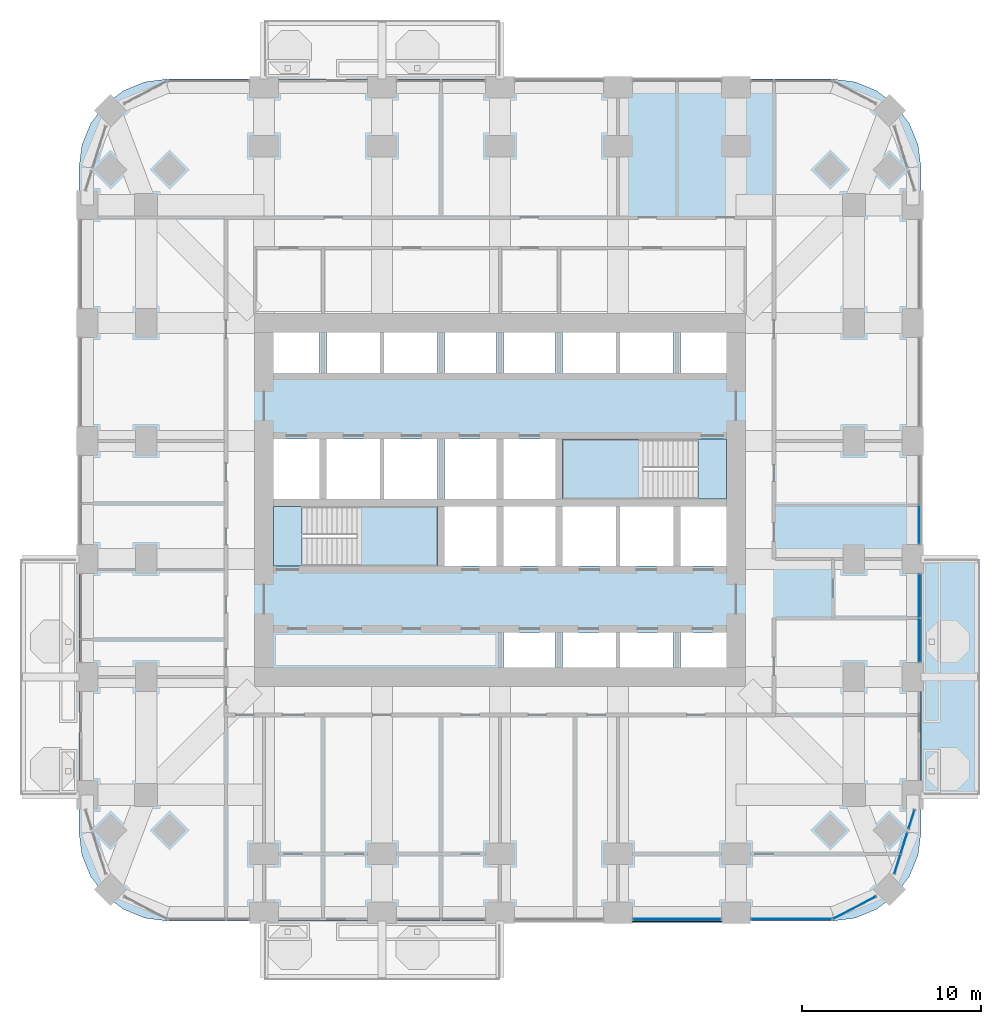
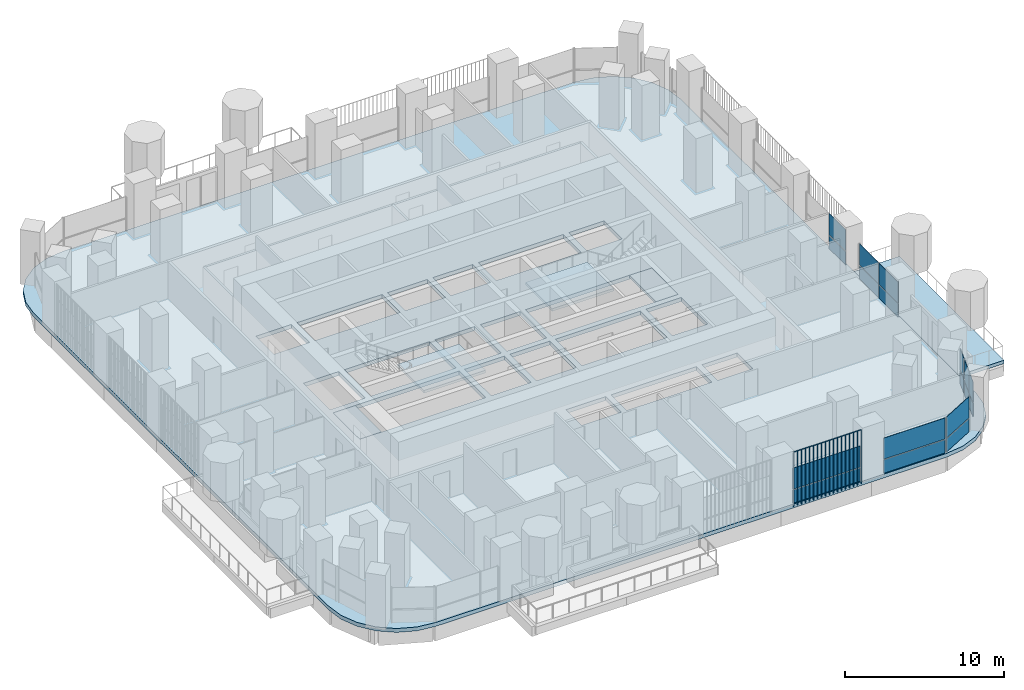
# One storey, part 9 of 21: 19 plates, 6 slabs, 9 elements without a shape of their own.
"""IFC4 building model written with IfcOpenShell, lengths in metres."""

from ifc_helpers import new_model, si_unit, direction, frame, origin, origin_2d, place, context, subcontext, project, spatial, polyline, rectangle, outline, extrude, material, layer, layer_set, type_object, element, aggregate, save


model = new_model("IFC4")

# Units and contexts
model_context = context("Model", 3, precision=1e-05, world=origin(), true_north=direction((0.0, 1.0)))
body_context = subcontext(model_context, "Body", "Model", "MODEL_VIEW")
ifc_project = project(units=[si_unit("LENGTHUNIT", "METRE"), si_unit("AREAUNIT", "SQUARE_METRE"), si_unit("VOLUMEUNIT", "CUBIC_METRE"), si_unit("PLANEANGLEUNIT", "RADIAN"), si_unit("MASSUNIT", "GRAM", prefix="KILO")], contexts=[model_context])

# Site, building, storey
site_placement = place(None, origin())
site = spatial("IfcSite", under=ifc_project, at=site_placement, CompositionType="ELEMENT")
building_placement = place(site_placement, origin())
building = spatial("IfcBuilding", under=site, at=building_placement, Name="Cobogo Forest Laboratory Tower", CompositionType="ELEMENT")
storey_placement = place(building_placement, frame((0.0, 0.0, 99.0)))
storey = spatial("IfcBuildingStorey", under=building, at=storey_placement, Name="L22", CompositionType="ELEMENT", Elevation=99.0)

# Slabs
ifc_material_1 = material(Name="Concrete HA-40 (C40/50)", Category="concrete")
ifc_layer_1 = layer(ifc_material_1, 0.25)
ifc_layer_set_1 = layer_set([ifc_layer_1], Name="Balcony slab 250")
slab_type_1 = type_object("IfcSlabType", Name="Balcony slab 250", PredefinedType="FLOOR", material=ifc_layer_set_1)
slab_1_placement = place(storey_placement, frame((0.0, 0.0, -0.25)))
element("IfcSlab", 1, at=slab_1_placement, inside=storey, type_object=slab_type_1, Name="Balcony BAL-E1 L22", PredefinedType="FLOOR", context=body_context, shape_type="SweptSolid", body=[
    extrude(outline(polyline([(49.949951171875, 6.60009765625), (53.25, 6.60009765625), (53.25, 19.800048828125), (49.949951171875, 19.800048828125), (49.949951171875, 6.60009765625)])), origin(), (0.0, 0.0, 1.0), 0.25),
])
ifc_layer_2 = layer(ifc_material_1, 0.300048828125)
ifc_layer_set_2 = layer_set([ifc_layer_2], Name="Floor slab 300")
slab_type_2 = type_object("IfcSlabType", Name="Floor slab 300", PredefinedType="FLOOR", material=ifc_layer_set_2)
slab_2_placement = place(storey_placement, frame((0.0, 0.0, -0.300048828125)))
element("IfcSlab", 2, at=slab_2_placement, inside=storey, type_object=slab_type_2, Name="L22 floor slab", PredefinedType="FLOOR", context=body_context, shape_type="SweptSolid", body=[
    extrude(outline(polyline([(45.0, -0.449951171875), (46.28125, -0.28125), (47.47509765625, 0.213134765625), (48.500244140625, 0.999755859375), (49.286865234375, 2.02490234375), (49.78125, 3.21875), (49.949951171875, 4.5), (49.949951171875, 41.699951171875), (49.78125, 42.981201171875), (49.286865234375, 44.175048828125), (48.500244140625, 45.2001953125), (47.47509765625, 45.98681640625), (46.28125, 46.4814453125), (45.0, 46.64990234375), (7.800048828125, 46.64990234375), (6.518798828125, 46.4814453125), (5.324951171875, 45.98681640625), (4.2998046875, 45.2001953125), (3.51318359375, 44.175048828125), (3.0185546875, 42.981201171875), (2.85009765625, 41.699951171875), (2.85009765625, 4.5), (3.0185546875, 3.21875), (3.51318359375, 2.02490234375), (4.2998046875, 0.999755859375), (5.324951171875, 0.213134765625), (6.518798828125, -0.28125), (7.800048828125, -0.449951171875), (45.0, -0.449951171875)]), holes=[polyline([(29.5, 13.72509765625), (26.60009765625, 13.72509765625), (26.60009765625, 15.699951171875), (29.5, 15.699951171875), (29.5, 13.72509765625)]), polyline([(36.10009765625, 15.699951171875), (36.10009765625, 13.72509765625), (29.89990234375, 13.72509765625), (29.89990234375, 15.699951171875), (36.10009765625, 15.699951171875)]), polyline([(36.5, 13.72509765625), (36.5, 15.699951171875), (39.074951171875, 15.699951171875), (39.074951171875, 13.72509765625), (36.5, 13.72509765625)]), polyline([(13.72509765625, 19.39990234375), (13.72509765625, 22.75), (22.89990234375, 22.75), (22.89990234375, 19.39990234375), (13.72509765625, 19.39990234375)]), polyline([(23.300048828125, 19.39990234375), (23.300048828125, 22.75), (26.199951171875, 22.75), (26.199951171875, 19.39990234375), (23.300048828125, 19.39990234375)]), polyline([(29.5, 19.39990234375), (26.60009765625, 19.39990234375), (26.60009765625, 22.75), (29.5, 22.75), (29.5, 19.39990234375)]), polyline([(36.10009765625, 22.75), (36.10009765625, 19.39990234375), (29.89990234375, 19.39990234375), (29.89990234375, 22.75), (36.10009765625, 22.75)]), polyline([(39.074951171875, 19.39990234375), (36.5, 19.39990234375), (36.5, 22.75), (39.074951171875, 22.75), (39.074951171875, 19.39990234375)]), polyline([(16.300048828125, 23.14990234375), (13.72509765625, 23.14990234375), (13.72509765625, 26.5), (16.300048828125, 26.5), (16.300048828125, 23.14990234375)]), polyline([(22.89990234375, 26.5), (22.89990234375, 23.14990234375), (16.699951171875, 23.14990234375), (16.699951171875, 26.5), (22.89990234375, 26.5)]), polyline([(26.199951171875, 23.14990234375), (23.300048828125, 23.14990234375), (23.300048828125, 26.5), (26.199951171875, 26.5), (26.199951171875, 23.14990234375)]), polyline([(26.60009765625, 23.14990234375), (26.60009765625, 26.5), (29.5, 26.5), (29.5, 23.14990234375), (26.60009765625, 23.14990234375)]), polyline([(29.89990234375, 23.14990234375), (29.89990234375, 26.5), (39.074951171875, 26.5), (39.074951171875, 23.14990234375), (29.89990234375, 23.14990234375)]), polyline([(13.72509765625, 30.199951171875), (13.72509765625, 32.47509765625), (16.300048828125, 32.47509765625), (16.300048828125, 30.199951171875), (13.72509765625, 30.199951171875)]), polyline([(22.89990234375, 32.47509765625), (22.89990234375, 30.199951171875), (16.699951171875, 30.199951171875), (16.699951171875, 32.47509765625), (22.89990234375, 32.47509765625)]), polyline([(23.300048828125, 30.199951171875), (23.300048828125, 32.47509765625), (26.199951171875, 32.47509765625), (26.199951171875, 30.199951171875), (23.300048828125, 30.199951171875)]), polyline([(26.60009765625, 30.199951171875), (26.60009765625, 32.47509765625), (29.5, 32.47509765625), (29.5, 30.199951171875), (26.60009765625, 30.199951171875)]), polyline([(36.10009765625, 32.47509765625), (36.10009765625, 30.199951171875), (29.89990234375, 30.199951171875), (29.89990234375, 32.47509765625), (36.10009765625, 32.47509765625)]), polyline([(36.5, 30.199951171875), (36.5, 32.47509765625), (39.074951171875, 32.47509765625), (39.074951171875, 30.199951171875), (36.5, 30.199951171875)])]), origin(), (0.0, 0.0, 1.0), 0.300048828125),
])

# Curtain wall, plates
ifc_material_2 = material(Name="Aluminium curtain wall", Category="aluminium")
curtain_wall_type = type_object("IfcCurtainWallType", Name="CW-1 unitised curtain wall, clear glazing, laboratory floors zones A and B", PredefinedType="USERDEFINED", material=ifc_material_2)
curtain_wall_1_placement = place(storey_placement, origin())
curtain_wall_1 = element("IfcCurtainWall", 3, at=curtain_wall_1_placement, inside=storey, type_object=curtain_wall_type, Name="Curtain wall 05 L22", ObjectType="UNITISED CURTAIN WALL", PredefinedType="USERDEFINED")
ifc_material_3 = material(Name="Clear insulated glass", Category="glass")
ifc_layer_3 = layer(ifc_material_3, 0.028076171875)
ifc_layer_set_3 = layer_set([ifc_layer_3], Name="GP-1 clear insulated glass unit 28")
plate_type_1 = type_object("IfcPlateType", Name="GP-1 clear insulated glass unit 28", PredefinedType="CURTAIN_PANEL", material=ifc_layer_set_3)
plate_1_placement = place(storey_placement, frame((36.300048828125, -0.35009765625, 0.0), z_axis=(0.0, 0.0, 1.0), x_axis=(1.0, 0.0, 0.0)))
plate_1 = element("IfcPlate", 4, at=plate_1_placement, type_object=plate_type_1, Name="CW-1 panel 1.1", PredefinedType="CURTAIN_PANEL", context=body_context, shape_type="SweptSolid", body=[
    extrude(rectangle(XDim=4.8798828125, YDim=0.028076171875, at=origin_2d()), origin(), (0.0, 0.0, 1.0), 1.02001953125),
])
plate_2_placement = place(storey_placement, frame((36.300048828125, -0.35009765625, 1.079833984375), z_axis=(0.0, 0.0, 1.0), x_axis=(1.0, 0.0, 0.0)))
plate_2 = element("IfcPlate", 5, at=plate_2_placement, type_object=plate_type_1, Name="CW-1 panel 1.2", PredefinedType="CURTAIN_PANEL", context=body_context, shape_type="SweptSolid", body=[
    extrude(rectangle(XDim=4.8798828125, YDim=0.028076171875, at=origin_2d()), origin(), (0.0, 0.0, 1.0), 1.6201171875),
])
aggregate(curtain_wall_1, [plate_1, plate_2])

curtain_wall_2_placement = place(storey_placement, origin())
curtain_wall_2 = element("IfcCurtainWall", 6, at=curtain_wall_2_placement, inside=storey, type_object=curtain_wall_type, Name="Curtain wall 06 L22", ObjectType="UNITISED CURTAIN WALL", PredefinedType="USERDEFINED")
plate_3_placement = place(storey_placement, frame((42.699951171875, -0.35009765625, 0.0), z_axis=(0.0, 0.0, 1.0), x_axis=(1.0, 0.0, 0.0)))
plate_3 = element("IfcPlate", 7, at=plate_3_placement, type_object=plate_type_1, Name="CW-1 panel 1.1", PredefinedType="CURTAIN_PANEL", context=body_context, shape_type="SweptSolid", body=[
    extrude(rectangle(XDim=4.47998046875, YDim=0.028076171875, at=origin_2d()), origin(), (0.0, 0.0, 1.0), 1.02001953125),
])
plate_4_placement = place(storey_placement, frame((42.699951171875, -0.35009765625, 1.079833984375), z_axis=(0.0, 0.0, 1.0), x_axis=(1.0, 0.0, 0.0)))
plate_4 = element("IfcPlate", 8, at=plate_4_placement, type_object=plate_type_1, Name="CW-1 panel 1.2", PredefinedType="CURTAIN_PANEL", context=body_context, shape_type="SweptSolid", body=[
    extrude(rectangle(XDim=4.47998046875, YDim=0.028076171875, at=origin_2d()), origin(), (0.0, 0.0, 1.0), 1.6201171875),
])
aggregate(curtain_wall_2, [plate_3, plate_4])

curtain_wall_3_placement = place(storey_placement, origin())
curtain_wall_3 = element("IfcCurtainWall", 9, at=curtain_wall_3_placement, inside=storey, type_object=curtain_wall_type, Name="Curtain wall 07 L22", ObjectType="UNITISED CURTAIN WALL", PredefinedType="USERDEFINED")
plate_5_placement = place(storey_placement, frame((46.229248046875, 0.29443359375, 0.0), z_axis=(0.0, 0.0, 1.0), x_axis=(0.885686547075, 0.464283685186, 0.0)))
plate_5 = element("IfcPlate", 10, at=plate_5_placement, type_object=plate_type_1, Name="CW-1 panel 1.1", PredefinedType="CURTAIN_PANEL", context=body_context, shape_type="SweptSolid", body=[
    extrude(rectangle(XDim=2.655517578125, YDim=0.028076171875, at=origin_2d()), origin(), (0.0, 0.0, 1.0), 1.02001953125),
])
plate_6_placement = place(storey_placement, frame((46.229248046875, 0.29443359375, 1.079833984375), z_axis=(0.0, 0.0, 1.0), x_axis=(0.885686547075, 0.464283685186, 0.0)))
plate_6 = element("IfcPlate", 11, at=plate_6_placement, type_object=plate_type_1, Name="CW-1 panel 1.2", PredefinedType="CURTAIN_PANEL", context=body_context, shape_type="SweptSolid", body=[
    extrude(rectangle(XDim=2.655517578125, YDim=0.028076171875, at=origin_2d()), origin(), (0.0, 0.0, 1.0), 1.6201171875),
])
aggregate(curtain_wall_3, [plate_5, plate_6])

curtain_wall_4_placement = place(storey_placement, origin())
curtain_wall_4 = element("IfcCurtainWall", 12, at=curtain_wall_4_placement, inside=storey, type_object=curtain_wall_type, Name="Curtain wall 08 L22", ObjectType="UNITISED CURTAIN WALL", PredefinedType="USERDEFINED")
plate_7_placement = place(storey_placement, frame((48.6279296875, 2.73046875, 0.0), z_axis=(0.0, 0.0, 1.0), x_axis=(0.301135291996, 0.953581425949, 0.0)))
plate_7 = element("IfcPlate", 13, at=plate_7_placement, type_object=plate_type_1, Name="CW-1 panel 1.1", PredefinedType="CURTAIN_PANEL", context=body_context, shape_type="SweptSolid", body=[
    extrude(rectangle(XDim=1.083984375, YDim=0.028076171875, at=origin_2d()), origin(), (0.0, 0.0, 1.0), 1.02001953125),
])
plate_8_placement = place(storey_placement, frame((48.6279296875, 2.73046875, 1.079833984375), z_axis=(0.0, 0.0, 1.0), x_axis=(0.301135291996, 0.953581425949, 0.0)))
plate_8 = element("IfcPlate", 14, at=plate_8_placement, type_object=plate_type_1, Name="CW-1 panel 1.2", PredefinedType="CURTAIN_PANEL", context=body_context, shape_type="SweptSolid", body=[
    extrude(rectangle(XDim=1.083984375, YDim=0.028076171875, at=origin_2d()), origin(), (0.0, 0.0, 1.0), 1.6201171875),
])
plate_9_placement = place(storey_placement, frame((48.99365234375, 3.88818359375, 0.0), z_axis=(0.0, 0.0, 1.0), x_axis=(0.301135291996, 0.953581425949, 0.0)))
plate_9 = element("IfcPlate", 15, at=plate_9_placement, type_object=plate_type_1, Name="CW-1 panel 2.1", PredefinedType="CURTAIN_PANEL", context=body_context, shape_type="SweptSolid", body=[
    extrude(rectangle(XDim=1.223876953125, YDim=0.028076171875, at=origin_2d()), origin(), (0.0, 0.0, 1.0), 1.02001953125),
])
plate_10_placement = place(storey_placement, frame((48.99365234375, 3.88818359375, 1.079833984375), z_axis=(0.0, 0.0, 1.0), x_axis=(0.301135291996, 0.953581425949, 0.0)))
plate_10 = element("IfcPlate", 16, at=plate_10_placement, type_object=plate_type_1, Name="CW-1 panel 2.2", PredefinedType="CURTAIN_PANEL", context=body_context, shape_type="SweptSolid", body=[
    extrude(rectangle(XDim=1.223876953125, YDim=0.028076171875, at=origin_2d()), origin(), (0.0, 0.0, 1.0), 1.6201171875),
])
aggregate(curtain_wall_4, [plate_7, plate_8, plate_9, plate_10])

curtain_wall_5_placement = place(storey_placement, origin())
curtain_wall_5 = element("IfcCurtainWall", 17, at=curtain_wall_5_placement, inside=storey, type_object=curtain_wall_type, Name="Curtain wall 09 L22", ObjectType="UNITISED CURTAIN WALL", PredefinedType="USERDEFINED")
plate_11_placement = place(storey_placement, frame((49.41796875, 5.232177734375, 0.0), z_axis=(0.0, 0.0, 1.0), x_axis=(0.301135667865, 0.953581307252, 0.0)))
plate_11 = element("IfcPlate", 18, at=plate_11_placement, type_object=plate_type_1, Name="CW-1 panel 1.1", PredefinedType="CURTAIN_PANEL", context=body_context, shape_type="SweptSolid", body=[
    extrude(rectangle(XDim=1.071044921875, YDim=0.028076171875, at=origin_2d()), origin(), (0.0, 0.0, 1.0), 1.02001953125),
])
plate_12_placement = place(storey_placement, frame((49.41796875, 5.232177734375, 1.079833984375), z_axis=(0.0, 0.0, 1.0), x_axis=(0.301135667865, 0.953581307252, 0.0)))
plate_12 = element("IfcPlate", 19, at=plate_12_placement, type_object=plate_type_1, Name="CW-1 panel 1.2", PredefinedType="CURTAIN_PANEL", context=body_context, shape_type="SweptSolid", body=[
    extrude(rectangle(XDim=1.071044921875, YDim=0.028076171875, at=origin_2d()), origin(), (0.0, 0.0, 1.0), 1.6201171875),
])
aggregate(curtain_wall_5, [plate_11, plate_12])

curtain_wall_6_placement = place(storey_placement, origin())
curtain_wall_6 = element("IfcCurtainWall", 20, at=curtain_wall_6_placement, inside=storey, type_object=curtain_wall_type, Name="Curtain wall 11 L22", ObjectType="UNITISED CURTAIN WALL", PredefinedType="USERDEFINED")
plate_13_placement = place(storey_placement, frame((49.85009765625, 15.264892578125, 0.0), z_axis=(0.0, 0.0, 1.0), x_axis=(0.0, 1.0, 0.0)))
plate_13 = element("IfcPlate", 21, at=plate_13_placement, type_object=plate_type_1, Name="CW-1 panel 1.1", PredefinedType="CURTAIN_PANEL", context=body_context, shape_type="SweptSolid", body=[
    extrude(rectangle(XDim=2.409912109375, YDim=0.028076171875, at=origin_2d()), origin(), (0.0, 0.0, 1.0), 1.02001953125),
])
plate_14_placement = place(storey_placement, frame((49.85009765625, 15.264892578125, 1.079833984375), z_axis=(0.0, 0.0, 1.0), x_axis=(0.0, 1.0, 0.0)))
plate_14 = element("IfcPlate", 22, at=plate_14_placement, type_object=plate_type_1, Name="CW-1 panel 1.2", PredefinedType="CURTAIN_PANEL", context=body_context, shape_type="SweptSolid", body=[
    extrude(rectangle(XDim=2.409912109375, YDim=0.028076171875, at=origin_2d()), origin(), (0.0, 0.0, 1.0), 1.6201171875),
])
plate_15_placement = place(storey_placement, frame((49.85009765625, 17.735107421875, 0.0), z_axis=(0.0, 0.0, 1.0), x_axis=(0.0, 1.0, 0.0)))
plate_15 = element("IfcPlate", 23, at=plate_15_placement, type_object=plate_type_1, Name="CW-1 panel 2.1", PredefinedType="CURTAIN_PANEL", context=body_context, shape_type="SweptSolid", body=[
    extrude(rectangle(XDim=2.409912109375, YDim=0.028076171875, at=origin_2d()), origin(), (0.0, 0.0, 1.0), 1.02001953125),
])
plate_16_placement = place(storey_placement, frame((49.85009765625, 17.735107421875, 1.079833984375), z_axis=(0.0, 0.0, 1.0), x_axis=(0.0, 1.0, 0.0)))
plate_16 = element("IfcPlate", 24, at=plate_16_placement, type_object=plate_type_1, Name="CW-1 panel 2.2", PredefinedType="CURTAIN_PANEL", context=body_context, shape_type="SweptSolid", body=[
    extrude(rectangle(XDim=2.409912109375, YDim=0.028076171875, at=origin_2d()), origin(), (0.0, 0.0, 1.0), 1.6201171875),
])
aggregate(curtain_wall_6, [plate_13, plate_14, plate_15, plate_16])

curtain_wall_7_placement = place(storey_placement, origin())
curtain_wall_7 = element("IfcCurtainWall", 25, at=curtain_wall_7_placement, inside=storey, type_object=curtain_wall_type, Name="Curtain wall 12 L22", ObjectType="UNITISED CURTAIN WALL", PredefinedType="USERDEFINED")
plate_17_placement = place(storey_placement, frame((49.85009765625, 21.715087890625, 0.0), z_axis=(0.0, 0.0, 1.0), x_axis=(0.0, 1.0, 0.0)))
plate_17 = element("IfcPlate", 26, at=plate_17_placement, type_object=plate_type_1, Name="CW-1 panel 1.1", PredefinedType="CURTAIN_PANEL", context=body_context, shape_type="SweptSolid", body=[
    extrude(rectangle(XDim=2.110107421875, YDim=0.028076171875, at=origin_2d()), origin(), (0.0, 0.0, 1.0), 1.02001953125),
])
plate_18_placement = place(storey_placement, frame((49.85009765625, 21.715087890625, 1.079833984375), z_axis=(0.0, 0.0, 1.0), x_axis=(0.0, 1.0, 0.0)))
plate_18 = element("IfcPlate", 27, at=plate_18_placement, type_object=plate_type_1, Name="CW-1 panel 1.2", PredefinedType="CURTAIN_PANEL", context=body_context, shape_type="SweptSolid", body=[
    extrude(rectangle(XDim=2.110107421875, YDim=0.028076171875, at=origin_2d()), origin(), (0.0, 0.0, 1.0), 1.6201171875),
])
aggregate(curtain_wall_7, [plate_17, plate_18])

# Stair, slabs
ifc_material_4 = material(Name="Precast concrete HA-40 (C40/50)", Category="concrete")
stair_type = type_object("IfcStairType", Name="ST24 exit stair 24 risers", PredefinedType="HALF_TURN_STAIR", material=ifc_material_4)
stair_1_placement = place(storey_placement, origin())
stair_1 = element("IfcStair", 28, at=stair_1_placement, inside=storey, type_object=stair_type, Name="Stair 1 L22 to L23", PredefinedType="HALF_TURN_STAIR")
ifc_layer_4 = layer(ifc_material_1, 0.199951171875)
ifc_layer_set_4 = layer_set([ifc_layer_4], Name="SL stair landing 200")
slab_type_3 = type_object("IfcSlabType", Name="SL stair landing 200", PredefinedType="LANDING", material=ifc_layer_set_4)
slab_3_placement = place(storey_placement, frame((0.0, 0.0, -0.199951171875)))
slab_3 = element("IfcSlab", 29, at=slab_3_placement, type_object=slab_type_3, Name="ST1 landing 1", PredefinedType="LANDING", context=body_context, shape_type="SweptSolid", body=[
    extrude(outline(polyline([(13.72509765625, 19.39990234375), (15.326904296875, 19.39990234375), (15.326904296875, 22.75), (13.72509765625, 22.75), (13.72509765625, 19.39990234375)])), origin(), (0.0, 0.0, 1.0), 0.199951171875),
])
slab_4_placement = place(storey_placement, frame((0.0, 0.0, 1.89990234375)))
slab_4 = element("IfcSlab", 30, at=slab_4_placement, type_object=slab_type_3, Name="ST1 landing 2", PredefinedType="LANDING", context=body_context, shape_type="SweptSolid", body=[
    extrude(outline(polyline([(18.403076171875, 19.39990234375), (22.89990234375, 19.39990234375), (22.89990234375, 22.75), (18.403076171875, 22.75), (18.403076171875, 19.39990234375)])), origin(), (0.0, 0.0, 1.0), 0.2001953125),
])
aggregate(stair_1, [slab_3, slab_4])

stair_2_placement = place(storey_placement, origin())
stair_2 = element("IfcStair", 31, at=stair_2_placement, inside=storey, type_object=stair_type, Name="Stair 2 L22 to L23", PredefinedType="HALF_TURN_STAIR")
slab_5_placement = place(storey_placement, frame((0.0, 0.0, -0.199951171875)))
slab_5 = element("IfcSlab", 32, at=slab_5_placement, type_object=slab_type_3, Name="ST2 landing 1", PredefinedType="LANDING", context=body_context, shape_type="SweptSolid", body=[
    extrude(outline(polyline([(37.472900390625, 23.14990234375), (39.074951171875, 23.14990234375), (39.074951171875, 26.5), (37.472900390625, 26.5), (37.472900390625, 23.14990234375)])), origin(), (0.0, 0.0, 1.0), 0.199951171875),
])
slab_6_placement = place(storey_placement, frame((0.0, 0.0, 1.89990234375)))
slab_6 = element("IfcSlab", 33, at=slab_6_placement, type_object=slab_type_3, Name="ST2 landing 2", PredefinedType="LANDING", context=body_context, shape_type="SweptSolid", body=[
    extrude(outline(polyline([(29.89990234375, 23.14990234375), (34.39697265625, 23.14990234375), (34.39697265625, 26.5), (29.89990234375, 26.5), (29.89990234375, 23.14990234375)])), origin(), (0.0, 0.0, 1.0), 0.2001953125),
])
aggregate(stair_2, [slab_5, slab_6])

# Plate
ifc_material_5 = material(Name="Terracotta", Category="masonry")
plate_type_2 = type_object("IfcPlateType", Name="TB1 terracotta baguette screen", PredefinedType="USERDEFINED", material=ifc_material_5)
plate_19_placement = place(storey_placement, frame((33.831298828125, -0.477783203125, -0.14990234375)))
element("IfcPlate", 34, at=plate_19_placement, inside=storey, type_object=plate_type_2, Name="Baguette screen S4 L22", ObjectType="BAGUETTE SCREEN", PredefinedType="USERDEFINED", context=body_context, shape_type="SweptSolid", body=[
    extrude(outline(polyline([(0.02880859375, 0.011962890625), (0.011962890625, 0.02880859375), (-0.011962890625, 0.02880859375), (-0.02880859375, 0.011962890625), (-0.02880859375, -0.011962890625), (-0.011962890625, -0.02880859375), (0.011962890625, -0.02880859375), (0.02880859375, -0.011962890625), (0.02880859375, 0.011962890625)])), frame((0.0, 0.0, 4.168701171875), z_axis=(1.0, 0.0, 0.0), x_axis=(0.0, 1.0, 0.0)), (0.0, 0.0, 1.0), 4.9375),
    extrude(outline(polyline([(0.02880859375, 0.011962890625), (0.011962890625, 0.02880859375), (-0.011962890625, 0.02880859375), (-0.02880859375, 0.011962890625), (-0.02880859375, -0.011962890625), (-0.011962890625, -0.02880859375), (0.011962890625, -0.02880859375), (0.02880859375, -0.011962890625), (0.02880859375, 0.011962890625)])), origin(), (0.0, 0.0, 1.0), 4.137451171875),
    extrude(outline(polyline([(0.02880859375, 0.011962890625), (0.011962890625, 0.02880859375), (-0.011962890625, 0.02880859375), (-0.02880859375, 0.011962890625), (-0.02880859375, -0.011962890625), (-0.011962890625, -0.02880859375), (0.011962890625, -0.02880859375), (0.02880859375, -0.011962890625), (0.02880859375, 0.011962890625)])), frame((0.29052734375, 0.0, 0.0)), (0.0, 0.0, 1.0), 4.137451171875),
    extrude(outline(polyline([(0.02880859375, 0.011962890625), (0.011962890625, 0.02880859375), (-0.011962890625, 0.02880859375), (-0.02880859375, 0.011962890625), (-0.02880859375, -0.011962890625), (-0.011962890625, -0.02880859375), (0.011962890625, -0.02880859375), (0.02880859375, -0.011962890625), (0.02880859375, 0.011962890625)])), frame((0.580810546875, 0.0, 0.0)), (0.0, 0.0, 1.0), 4.137451171875),
    extrude(outline(polyline([(0.02880859375, 0.011962890625), (0.011962890625, 0.02880859375), (-0.011962890625, 0.02880859375), (-0.02880859375, 0.011962890625), (-0.02880859375, -0.011962890625), (-0.011962890625, -0.02880859375), (0.011962890625, -0.02880859375), (0.02880859375, -0.011962890625), (0.02880859375, 0.011962890625)])), frame((0.871337890625, 0.0, 0.0)), (0.0, 0.0, 1.0), 4.137451171875),
    extrude(outline(polyline([(0.02880859375, 0.011962890625), (0.011962890625, 0.02880859375), (-0.011962890625, 0.02880859375), (-0.02880859375, 0.011962890625), (-0.02880859375, -0.011962890625), (-0.011962890625, -0.02880859375), (0.011962890625, -0.02880859375), (0.02880859375, -0.011962890625), (0.02880859375, 0.011962890625)])), frame((1.161865234375, 0.0, 0.0)), (0.0, 0.0, 1.0), 4.137451171875),
    extrude(outline(polyline([(0.02880859375, 0.011962890625), (0.011962890625, 0.02880859375), (-0.011962890625, 0.02880859375), (-0.02880859375, 0.011962890625), (-0.02880859375, -0.011962890625), (-0.011962890625, -0.02880859375), (0.011962890625, -0.02880859375), (0.02880859375, -0.011962890625), (0.02880859375, 0.011962890625)])), frame((1.4521484375, 0.0, 0.0)), (0.0, 0.0, 1.0), 4.137451171875),
    extrude(outline(polyline([(0.02880859375, 0.011962890625), (0.011962890625, 0.02880859375), (-0.011962890625, 0.02880859375), (-0.02880859375, 0.011962890625), (-0.02880859375, -0.011962890625), (-0.011962890625, -0.02880859375), (0.011962890625, -0.02880859375), (0.02880859375, -0.011962890625), (0.02880859375, 0.011962890625)])), frame((1.74267578125, 0.0, 0.0)), (0.0, 0.0, 1.0), 4.137451171875),
    extrude(outline(polyline([(0.02880859375, 0.011962890625), (0.011962890625, 0.02880859375), (-0.011962890625, 0.02880859375), (-0.02880859375, 0.011962890625), (-0.02880859375, -0.011962890625), (-0.011962890625, -0.02880859375), (0.011962890625, -0.02880859375), (0.02880859375, -0.011962890625), (0.02880859375, 0.011962890625)])), frame((2.033203125, 0.0, 0.0)), (0.0, 0.0, 1.0), 4.137451171875),
    extrude(outline(polyline([(0.02880859375, 0.011962890625), (0.011962890625, 0.02880859375), (-0.011962890625, 0.02880859375), (-0.02880859375, 0.011962890625), (-0.02880859375, -0.011962890625), (-0.011962890625, -0.02880859375), (0.011962890625, -0.02880859375), (0.02880859375, -0.011962890625), (0.02880859375, 0.011962890625)])), frame((2.323486328125, 0.0, 0.0)), (0.0, 0.0, 1.0), 4.137451171875),
    extrude(outline(polyline([(0.02880859375, 0.011962890625), (0.011962890625, 0.02880859375), (-0.011962890625, 0.02880859375), (-0.02880859375, 0.011962890625), (-0.02880859375, -0.011962890625), (-0.011962890625, -0.02880859375), (0.011962890625, -0.02880859375), (0.02880859375, -0.011962890625), (0.02880859375, 0.011962890625)])), frame((2.614013671875, 0.0, 0.0)), (0.0, 0.0, 1.0), 4.137451171875),
    extrude(outline(polyline([(0.02880859375, 0.011962890625), (0.011962890625, 0.02880859375), (-0.011962890625, 0.02880859375), (-0.02880859375, 0.011962890625), (-0.02880859375, -0.011962890625), (-0.011962890625, -0.02880859375), (0.011962890625, -0.02880859375), (0.02880859375, -0.011962890625), (0.02880859375, 0.011962890625)])), frame((2.904296875, 0.0, 0.0)), (0.0, 0.0, 1.0), 4.137451171875),
    extrude(outline(polyline([(0.02880859375, 0.011962890625), (0.011962890625, 0.02880859375), (-0.011962890625, 0.02880859375), (-0.02880859375, 0.011962890625), (-0.02880859375, -0.011962890625), (-0.011962890625, -0.02880859375), (0.011962890625, -0.02880859375), (0.02880859375, -0.011962890625), (0.02880859375, 0.011962890625)])), frame((3.19482421875, 0.0, 0.0)), (0.0, 0.0, 1.0), 4.137451171875),
    extrude(outline(polyline([(0.02880859375, 0.011962890625), (0.011962890625, 0.02880859375), (-0.011962890625, 0.02880859375), (-0.02880859375, 0.011962890625), (-0.02880859375, -0.011962890625), (-0.011962890625, -0.02880859375), (0.011962890625, -0.02880859375), (0.02880859375, -0.011962890625), (0.02880859375, 0.011962890625)])), frame((3.4853515625, 0.0, 0.0)), (0.0, 0.0, 1.0), 4.137451171875),
    extrude(outline(polyline([(0.02880859375, 0.011962890625), (0.011962890625, 0.02880859375), (-0.011962890625, 0.02880859375), (-0.02880859375, 0.011962890625), (-0.02880859375, -0.011962890625), (-0.011962890625, -0.02880859375), (0.011962890625, -0.02880859375), (0.02880859375, -0.011962890625), (0.02880859375, 0.011962890625)])), frame((3.775634765625, 0.0, 0.0)), (0.0, 0.0, 1.0), 4.137451171875),
    extrude(outline(polyline([(0.02880859375, 0.011962890625), (0.011962890625, 0.02880859375), (-0.011962890625, 0.02880859375), (-0.02880859375, 0.011962890625), (-0.02880859375, -0.011962890625), (-0.011962890625, -0.02880859375), (0.011962890625, -0.02880859375), (0.02880859375, -0.011962890625), (0.02880859375, 0.011962890625)])), frame((4.066162109375, 0.0, 0.0)), (0.0, 0.0, 1.0), 4.137451171875),
    extrude(outline(polyline([(0.02880859375, 0.011962890625), (0.011962890625, 0.02880859375), (-0.011962890625, 0.02880859375), (-0.02880859375, 0.011962890625), (-0.02880859375, -0.011962890625), (-0.011962890625, -0.02880859375), (0.011962890625, -0.02880859375), (0.02880859375, -0.011962890625), (0.02880859375, 0.011962890625)])), frame((4.356689453125, 0.0, 0.0)), (0.0, 0.0, 1.0), 4.137451171875),
    extrude(outline(polyline([(0.02880859375, 0.011962890625), (0.011962890625, 0.02880859375), (-0.011962890625, 0.02880859375), (-0.02880859375, 0.011962890625), (-0.02880859375, -0.011962890625), (-0.011962890625, -0.02880859375), (0.011962890625, -0.02880859375), (0.02880859375, -0.011962890625), (0.02880859375, 0.011962890625)])), frame((4.64697265625, 0.0, 0.0)), (0.0, 0.0, 1.0), 4.137451171875),
    extrude(outline(polyline([(0.02880859375, 0.011962890625), (0.011962890625, 0.02880859375), (-0.011962890625, 0.02880859375), (-0.02880859375, 0.011962890625), (-0.02880859375, -0.011962890625), (-0.011962890625, -0.02880859375), (0.011962890625, -0.02880859375), (0.02880859375, -0.011962890625), (0.02880859375, 0.011962890625)])), frame((4.9375, 0.0, 0.0)), (0.0, 0.0, 1.0), 4.137451171875),
])

save(model, "model.ifc")
